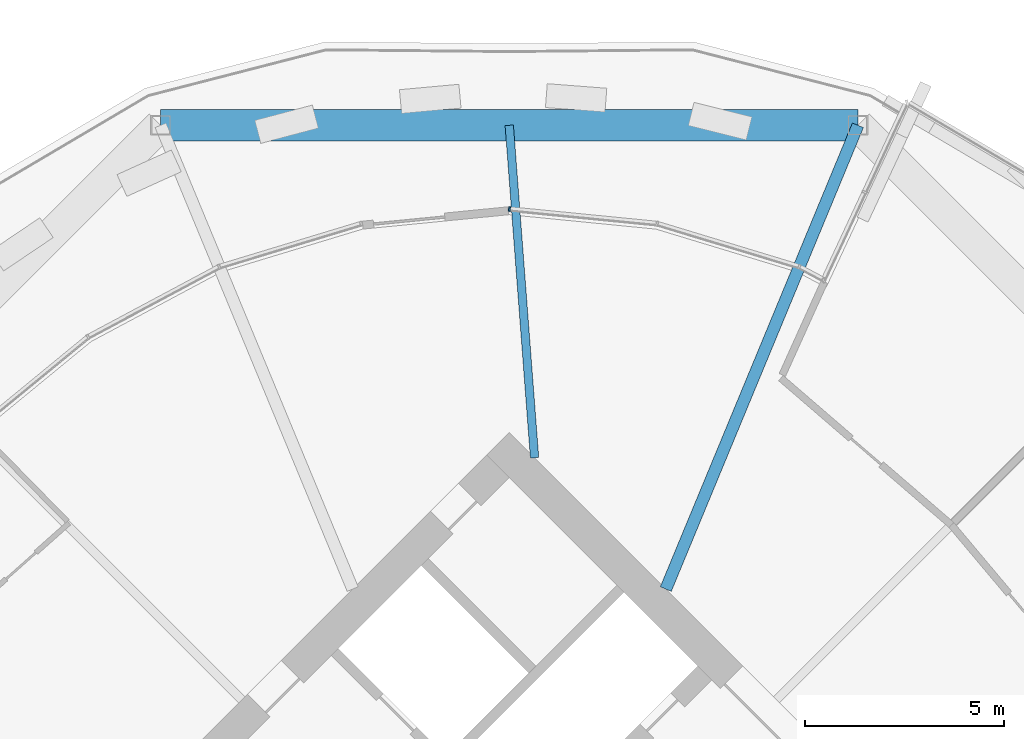
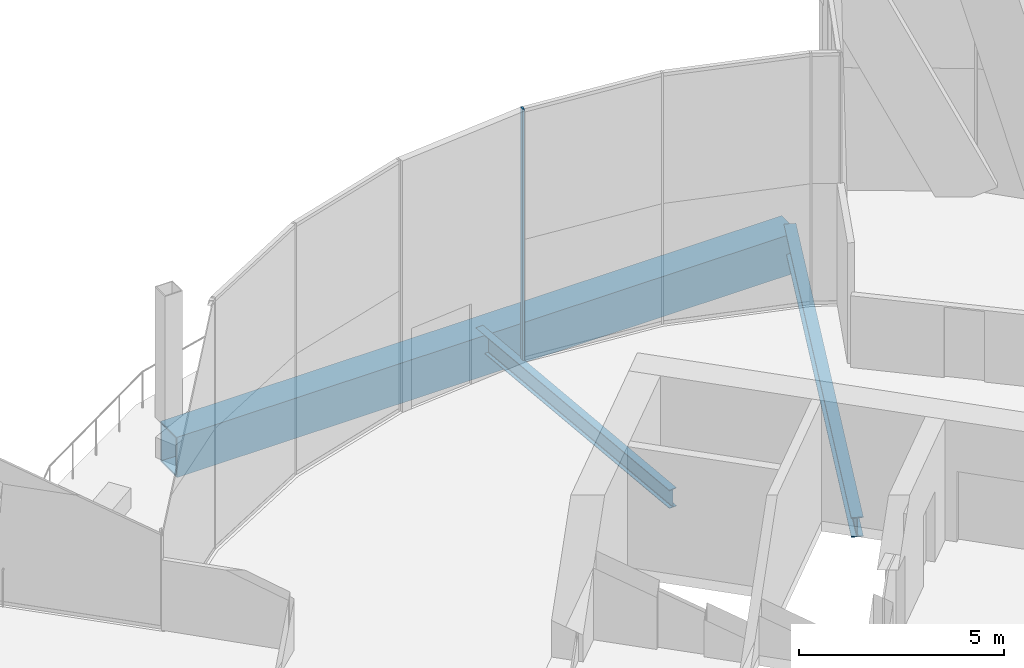
# One storey, part 16 of 31: 3 beams, 1 member, 1 element without a shape of its own.
"""IFC4 building model written with IfcOpenShell, lengths in metres."""

from ifc_helpers import new_model, si_unit, direction, frame, origin, origin_2d, place, context, subcontext, project, spatial, rectangle, hollow_rectangle, i_section, extrude, material, material_profile, profile_set, type_object, element, aggregate, save


model = new_model("IFC4")

# Units and contexts
model_context = context("Model", 3, precision=1e-05, world=origin(), true_north=direction((0.0, 1.0)))
body_context = subcontext(model_context, "Body", "Model", "MODEL_VIEW")
ifc_project = project(units=[si_unit("LENGTHUNIT", "METRE"), si_unit("AREAUNIT", "SQUARE_METRE"), si_unit("VOLUMEUNIT", "CUBIC_METRE"), si_unit("PLANEANGLEUNIT", "RADIAN"), si_unit("MASSUNIT", "GRAM", prefix="KILO")], contexts=[model_context])

# Site, building, storey
site_placement = place(None, origin())
site = spatial("IfcSite", under=ifc_project, at=site_placement, CompositionType="ELEMENT")
building_placement = place(site_placement, origin())
building = spatial("IfcBuilding", under=site, at=building_placement, Name="Ogive Gate Towers", CompositionType="ELEMENT")
storey_placement = place(building_placement, frame((0.0, 0.0, 63.60009765625)))
storey = spatial("IfcBuildingStorey", under=building, at=storey_placement, Name="L14", CompositionType="ELEMENT", Elevation=63.60009765625)

# Beams
ifc_material_1 = material(Name="Steel SM460", Category="steel")
ifc_material_profile_1 = material_profile(ifc_material_1, hollow_rectangle(XDim=0.800048828125, YDim=1.199951171875, WallThickness=0.050048828125, at=origin_2d()), Name="BX 1200x800x50")
ifc_profile_set_1 = profile_set([ifc_material_profile_1], Name="Steel SM460")
beam_type_1 = type_object("IfcBeamType", Name="Edge girder BX 1200x800x50", PredefinedType="BEAM", material=ifc_profile_set_1)
beam_1_placement = place(storey_placement, frame((44.763427734375, 21.15673828125, -0.900146484375), z_axis=(-1.0, 0.0, 0.0), x_axis=(0.0, -1.0, 0.0)))
element("IfcBeam", 1, at=beam_1_placement, inside=storey, type_object=beam_type_1, Name="T2/L14/SBM022", PredefinedType="BEAM", context=body_context, shape_type="SweptSolid", body=[
    extrude(hollow_rectangle(XDim=0.800048828125, YDim=1.199951171875, WallThickness=0.050048828125, at=origin_2d()), origin(), (0.0, 0.0, 1.0), 17.52685546875),
])
ifc_material_2 = material(Name="Steel SM355", Category="steel")
ifc_material_profile_2 = material_profile(ifc_material_2, i_section(OverallWidth=0.300048828125, OverallDepth=0.590087890625, WebThickness=0.012939453125, FlangeThickness=0.02490234375, FilletRadius=0.027099609375, at=origin_2d()), Name="HE 600 A")
ifc_profile_set_2 = profile_set([ifc_material_profile_2], Name="Steel SM355")
beam_type_2 = type_object("IfcBeamType", Name="Radial floor beam HE 600 A", PredefinedType="BEAM", material=ifc_profile_set_2)
beam_2_placement = place(storey_placement, frame((39.93505859375, 9.5, -0.59521484375), z_axis=(0.382682759347, 0.923879811284, 0.0), x_axis=(-0.923879811284, 0.382682759347, 0.0)))
element("IfcBeam", 2, at=beam_2_placement, inside=storey, type_object=beam_type_2, Name="T2/L14/SBM011", PredefinedType="BEAM", context=body_context, shape_type="SweptSolid", body=[
    extrude(i_section(OverallWidth=0.300048828125, OverallDepth=0.590087890625, WebThickness=0.012939453125, FlangeThickness=0.02490234375, FilletRadius=0.027099609375, at=origin_2d()), origin(), (0.0, 0.0, 1.0), 12.6171875),
])
ifc_material_profile_3 = material_profile(ifc_material_2, i_section(OverallWidth=0.2099609375, OverallDepth=0.550048828125, WebThickness=0.010986328125, FlangeThickness=0.01708984375, FilletRadius=0.02392578125, at=origin_2d()), Name="IPE 550")
ifc_profile_set_3 = profile_set([ifc_material_profile_3], Name="Steel SM355")
beam_type_3 = type_object("IfcBeamType", Name="Radial floor beam IPE 550", PredefinedType="BEAM", material=ifc_profile_set_3)
beam_3_placement = place(storey_placement, frame((36.636474609375, 12.798583984375, -0.5751953125), z_axis=(-0.075930303007, 0.997113127526, 0.0), x_axis=(-0.997113127526, -0.075930303007, 0.0)))
element("IfcBeam", 3, at=beam_3_placement, inside=storey, type_object=beam_type_3, Name="T2/L14/SBM012", PredefinedType="BEAM", context=body_context, shape_type="SweptSolid", body=[
    extrude(i_section(OverallWidth=0.2099609375, OverallDepth=0.550048828125, WebThickness=0.010986328125, FlangeThickness=0.01708984375, FilletRadius=0.02392578125, at=origin_2d()), origin(), (0.0, 0.0, 1.0), 8.38232421875),
])

# Curtain wall, member
ifc_material_3 = material(Name="Pale metal aluminium", Category="aluminium")
curtain_wall_type = type_object("IfcCurtainWallType", Name="Sky garden glazing", PredefinedType="NOTDEFINED", material=ifc_material_3)
curtain_wall_placement = place(storey_placement, origin())
curtain_wall = element("IfcCurtainWall", 4, at=curtain_wall_placement, inside=storey, type_object=curtain_wall_type, Name="CW4 T2 ECW01", PredefinedType="NOTDEFINED")
ifc_material_profile_4 = material_profile(ifc_material_3, rectangle(XDim=0.1201171875, YDim=0.050048828125, at=origin_2d()), Name="50 x 120 aluminium box")
ifc_profile_set_4 = profile_set([ifc_material_profile_4], Name="Pale metal aluminium")
member_type = type_object("IfcMemberType", Name="Sky garden glazing mullion 50 x 120", PredefinedType="MULLION", material=ifc_profile_set_4)
member_placement = place(storey_placement, frame((36.00390625, 19.05029296875, 0.0), z_axis=(0.0, 0.0, 1.0), x_axis=(-0.09801714033, -0.995184726672, 0.0)))
member = element("IfcMember", 5, at=member_placement, type_object=member_type, Name="CW4 mullion", PredefinedType="MULLION", context=body_context, shape_type="SweptSolid", body=[
    extrude(rectangle(XDim=0.1201171875, YDim=0.050048828125, at=origin_2d()), origin(), (0.0, 0.0, 1.0), 7.5),
])
aggregate(curtain_wall, [member])

save(model, "model.ifc")
